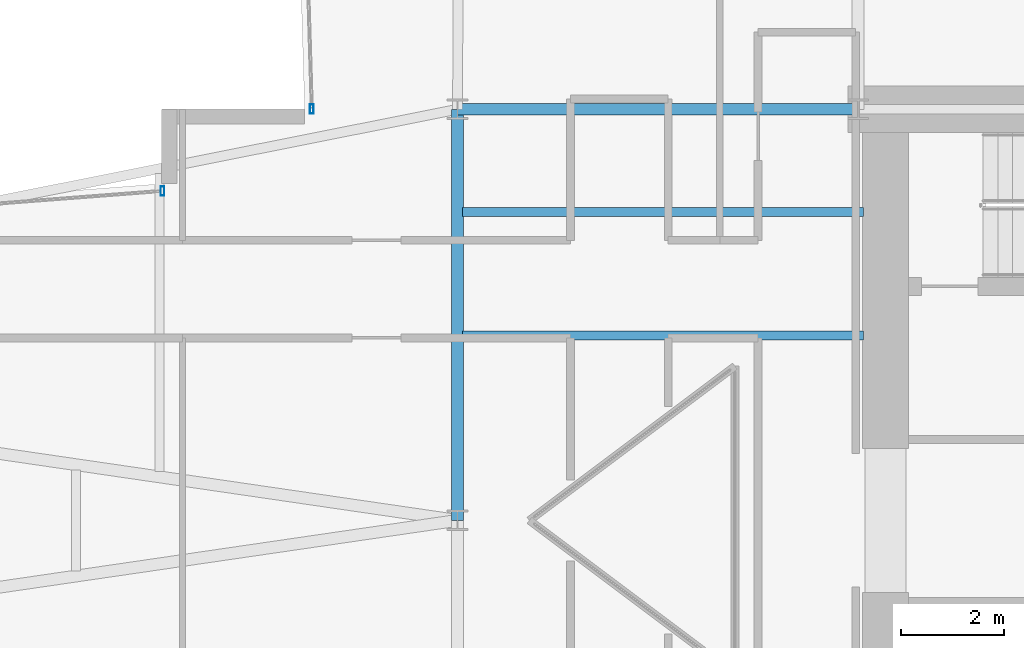
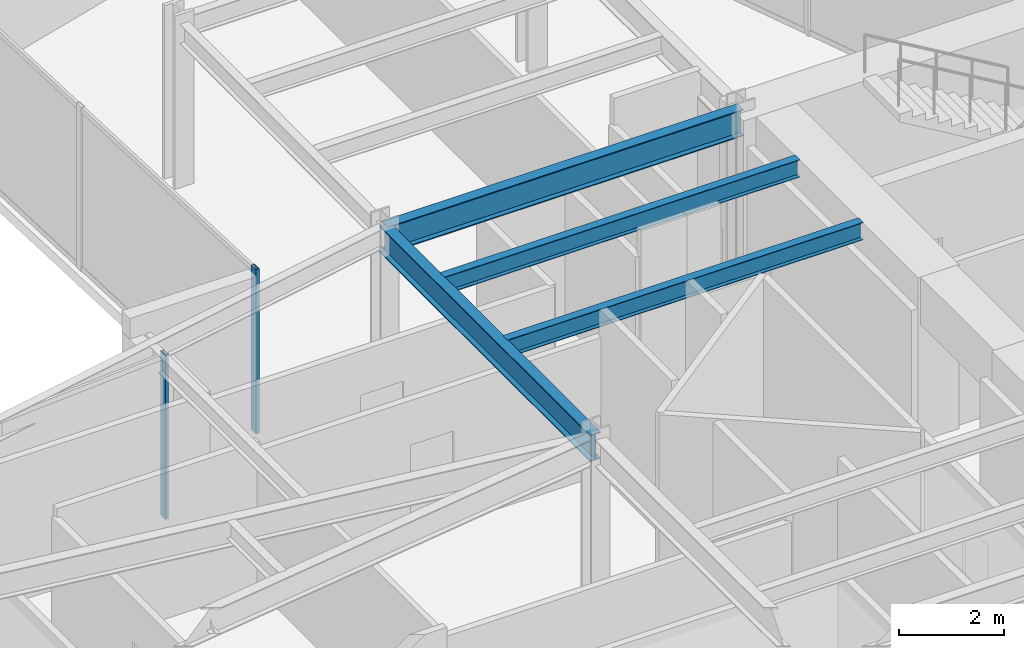
# One storey, part 12 of 30: 4 beams, 2 members, 2 elements without a shape of their own.
"""IFC4 building model written with IfcOpenShell, lengths in metres."""

from ifc_helpers import new_model, si_unit, direction, frame, origin, origin_2d, place, context, subcontext, project, spatial, hollow_rectangle, i_section, extrude, material, layer, layer_set, material_profile, profile_set, type_object, element, aggregate, save


model = new_model("IFC4")

# Units and contexts
model_context = context("Model", 3, precision=1e-05, world=origin(), true_north=direction((0.0, 1.0)))
body_context = subcontext(model_context, "Body", "Model", "MODEL_VIEW")
ifc_project = project(units=[si_unit("LENGTHUNIT", "METRE"), si_unit("AREAUNIT", "SQUARE_METRE"), si_unit("VOLUMEUNIT", "CUBIC_METRE"), si_unit("PLANEANGLEUNIT", "RADIAN"), si_unit("MASSUNIT", "GRAM", prefix="KILO")], contexts=[model_context])

# Site, building, storey
site_placement = place(None, origin())
site = spatial("IfcSite", under=ifc_project, at=site_placement, CompositionType="ELEMENT")
building_placement = place(site_placement, origin())
building = spatial("IfcBuilding", under=site, at=building_placement, Name="Veymaron Broadcast Tower", CompositionType="ELEMENT")
storey_placement = place(building_placement, frame((0.0, 0.0, 37.800048828125)))
storey = spatial("IfcBuildingStorey", under=building, at=storey_placement, Name="L07", CompositionType="ELEMENT", Elevation=37.800048828125)

# Beams
ifc_material_1 = material(Name="Structural steel ASTM A992 Gr 50", Category="steel")
ifc_material_profile_1 = material_profile(ifc_material_1, i_section(OverallWidth=0.22998046875, OverallDepth=0.616943359375, WebThickness=0.01318359375, FlangeThickness=0.022216796875, at=origin_2d()), Name="W610X140")
ifc_profile_set_1 = profile_set([ifc_material_profile_1], Name="Structural steel ASTM A992 Gr 50")
beam_type_1 = type_object("IfcBeamType", Name="BM-FG1", PredefinedType="BEAM", material=ifc_profile_set_1)
beam_1_placement = place(storey_placement, frame((31.199951171875, 24.0, 3.50146484375), z_axis=(0.0, 1.0, 0.0), x_axis=(-1.0, 0.0, 0.0)))
element("IfcBeam", 1, at=beam_1_placement, inside=storey, type_object=beam_type_1, Name="L07 primary structural floor girder", PredefinedType="BEAM", context=body_context, shape_type="SweptSolid", body=[
    extrude(i_section(OverallWidth=0.22998046875, OverallDepth=0.616943359375, WebThickness=0.01318359375, FlangeThickness=0.022216796875, at=origin_2d()), origin(), (0.0, 0.0, 1.0), 8.0),
])
beam_2_placement = place(storey_placement, frame((31.199951171875, 32.0, 3.50146484375), z_axis=(1.0, 0.0, 0.0), x_axis=(0.0, 1.0, 0.0)))
element("IfcBeam", 2, at=beam_2_placement, inside=storey, type_object=beam_type_1, Name="L07 primary structural floor girder", PredefinedType="BEAM", context=body_context, shape_type="SweptSolid", body=[
    extrude(i_section(OverallWidth=0.22998046875, OverallDepth=0.616943359375, WebThickness=0.01318359375, FlangeThickness=0.022216796875, at=origin_2d()), origin(), (0.0, 0.0, 1.0), 7.800048828125),
])
ifc_material_profile_2 = material_profile(ifc_material_1, i_section(OverallWidth=0.177978515625, OverallDepth=0.406982421875, WebThickness=0.0078125, FlangeThickness=0.0126953125, at=origin_2d()), Name="W410X60")
ifc_profile_set_2 = profile_set([ifc_material_profile_2], Name="Structural steel ASTM A992 Gr 50")
beam_type_2 = type_object("IfcBeamType", Name="BM-JS1", PredefinedType="JOIST", material=ifc_profile_set_2)
for number, where, z_axis, x_axis, name in (
    (3, (31.300048828125, 27.60009765625, 3.6064453125), (1.0, 0.0, 0.0), (0.0, 1.0, 0.0), "L07 Hub secondary joist 3"),
    (4, (31.300048828125, 30.0, 3.6064453125), (1.0, 0.0, 0.0), (0.0, 1.0, 0.0), "L07 Hub secondary joist 4"),
):
    element("IfcBeam", number, at=place(storey_placement, frame(where, z_axis=z_axis, x_axis=x_axis)), inside=storey, type_object=beam_type_2, Name=name, PredefinedType="JOIST", context=body_context, shape_type="SweptSolid", body=[
        extrude(i_section(OverallWidth=0.177978515625, OverallDepth=0.406982421875, WebThickness=0.0078125, FlangeThickness=0.0126953125, at=origin_2d()), origin(), (0.0, 0.0, 1.0), 7.800048828125),
    ])

# Curtain wall, member
ifc_material_2 = material(Name="Anodised aluminium AA 6063-T6 and laminated low-E dark glass", Category="aluminium")
ifc_layer = layer(ifc_material_2, 0.179931640625)
ifc_layer_set = layer_set([ifc_layer], Name="Anodised aluminium AA 6063-T6 and laminated low-E dark glass")
curtain_wall_type = type_object("IfcCurtainWallType", Name="CW-SYS-02", PredefinedType="NOTDEFINED", material=ifc_layer_set)
curtain_wall_1_placement = place(storey_placement, origin())
curtain_wall_1 = element("IfcCurtainWall", 5, at=curtain_wall_1_placement, inside=storey, type_object=curtain_wall_type, Name="L07 dark-glass curtain wall CW-L07-E8-1", PredefinedType="NOTDEFINED")
ifc_material_3 = material(Name="Anodised aluminium AA 6063-T6", Category="aluminium")
ifc_material_profile_3 = material_profile(ifc_material_3, hollow_rectangle(XDim=0.074951171875, YDim=0.179931640625, WallThickness=0.0048828125, at=origin_2d()), Name="AL180X75X5")
ifc_profile_set_3 = profile_set([ifc_material_profile_3], Name="Anodised aluminium AA 6063-T6")
member_type = type_object("IfcMemberType", Name="CW-MUL-02", PredefinedType="MULLION", material=ifc_profile_set_3)
member_1_placement = place(storey_placement, frame((28.364013671875, 32.004150390625, 0.0), z_axis=(0.0, 0.0, 1.0), x_axis=(1.0, 0.0, 0.0)))
member_1 = element("IfcMember", 6, at=member_1_placement, type_object=member_type, Name="CW-L07-E8-1 mullion 2", PredefinedType="MULLION", context=body_context, shape_type="SweptSolid", body=[
    extrude(hollow_rectangle(XDim=0.074951171875, YDim=0.179931640625, WallThickness=0.0048828125, at=origin_2d()), origin(), (0.0, 0.0, 1.0), 3.81005859375),
])
aggregate(curtain_wall_1, [member_1])

curtain_wall_2_placement = place(storey_placement, origin())
curtain_wall_2 = element("IfcCurtainWall", 7, at=curtain_wall_2_placement, inside=storey, type_object=curtain_wall_type, Name="L07 dark-glass curtain wall CW-L07-E11-1", PredefinedType="NOTDEFINED")
member_2_placement = place(storey_placement, frame((25.458740234375, 30.412109375, 0.0), z_axis=(0.0, 0.0, 1.0), x_axis=(1.0, 0.0, 0.0)))
member_2 = element("IfcMember", 8, at=member_2_placement, type_object=member_type, Name="CW-L07-E11-1 mullion 0", PredefinedType="MULLION", context=body_context, shape_type="SweptSolid", body=[
    extrude(hollow_rectangle(XDim=0.074951171875, YDim=0.179931640625, WallThickness=0.0048828125, at=origin_2d()), origin(), (0.0, 0.0, 1.0), 3.81005859375),
])
aggregate(curtain_wall_2, [member_2])

save(model, "model.ifc")
